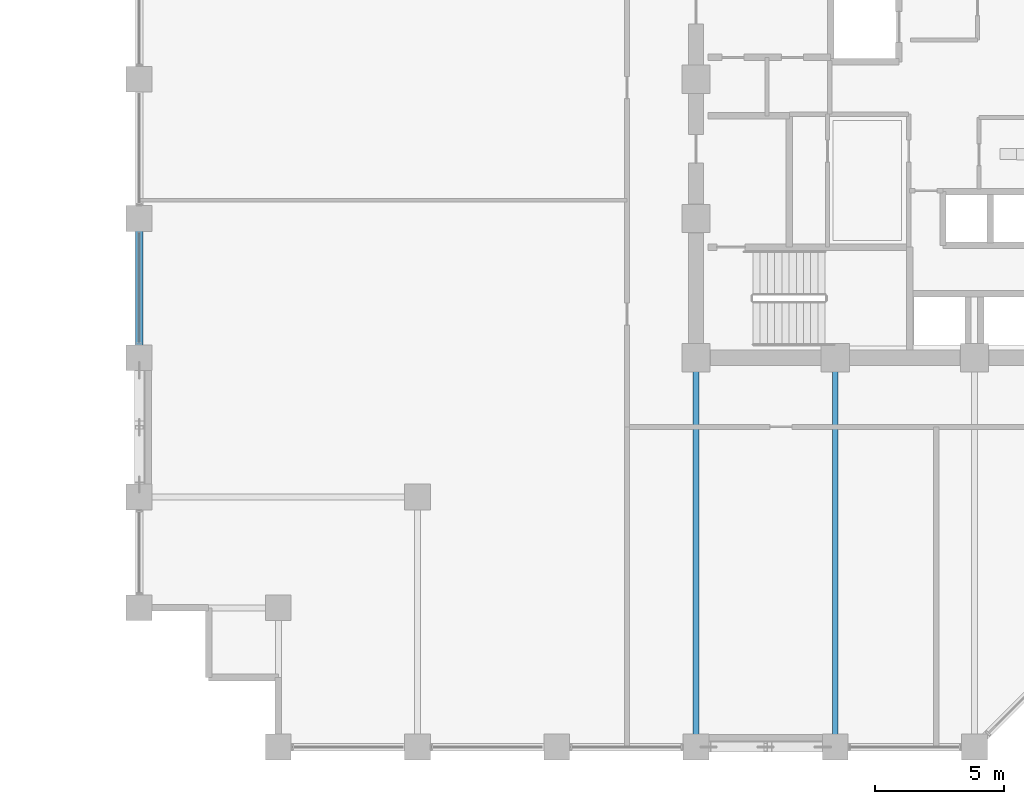
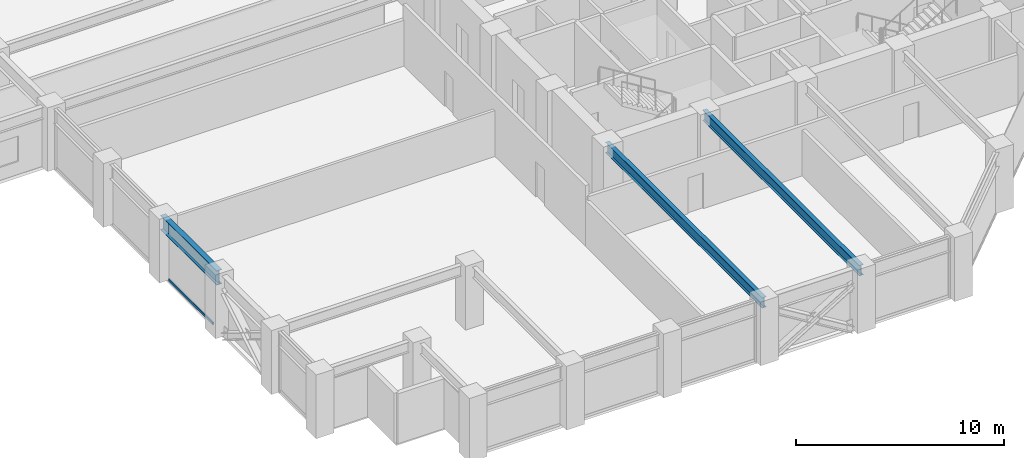
# One storey, part 4 of 29: 3 beams, 1 member, 1 element without a shape of its own.
"""IFC4 building model written with IfcOpenShell, lengths in metres."""

import ifcopenshell
import ifcopenshell.guid

model = None  # the IFC model being written
_history = None  # IfcOwnerHistory: only IFC2X3 demands one
_inside = {}  # id of a spatial element -> (the spatial element, [elements in it])
_under = {}  # id of a project, library or spatial element -> (it, [spatial elements below it])
_declared = {}  # id of a project -> (the project, [libraries it declares])
_typed = {}  # id of a type object -> (the type object, [elements of that type])
_made_of = {}  # id of a material, layer set ... -> (it, [elements and type objects made of it])


def new_model(schema):
    """Start an empty IFC model of exactly this schema.

    Asked for "IFC4X3", IfcOpenShell would pick the latest addendum, in which some entities
    have other attributes; the version numbers below select the first issue.
    IFC2X3 requires an IfcOwnerHistory on every rooted entity: one is made here for all.
    """
    global model, _history
    if schema == "IFC4X3":
        model = ifcopenshell.file(schema_version=(4, 3, 0, 0))
    else:
        model = ifcopenshell.file(schema=schema)
    _inside.clear()
    _under.clear()
    _declared.clear()
    _typed.clear()
    _made_of.clear()
    _history = None
    if model.schema == "IFC2X3":
        org = make("IfcOrganization", Name="unknown")
        user = make(
            "IfcPersonAndOrganization",
            ThePerson=make("IfcPerson", FamilyName="unknown"),
            TheOrganization=org,
        )
        app = make(
            "IfcApplication",
            ApplicationDeveloper=org,
            Version="unknown",
            ApplicationFullName="unknown",
            ApplicationIdentifier="unknown",
        )
        _history = make(
            "IfcOwnerHistory",
            OwningUser=user,
            OwningApplication=app,
            ChangeAction="ADDED",
            CreationDate=0,
        )
    return model


def make(cls, **values):
    """One entity of the class cls with the attributes given. An attribute that is None is left unset."""
    return model.create_entity(
        cls, **{name: value for name, value in values.items() if value is not None}
    )


def rooted(cls, **values):
    """An entity with a GlobalId (a new one), such as an element, a storey or a relation."""
    return make(cls, GlobalId=ifcopenshell.guid.new(), OwnerHistory=_history, **values)


def si_unit(unit_type, name, prefix=None):
    """IfcSIUnit, for example si_unit("LENGTHUNIT", "METRE", prefix="MILLI")."""
    return make("IfcSIUnit", UnitType=unit_type, Prefix=prefix, Name=name)


def assignment(units):
    """IfcUnitAssignment: the units of a project."""
    return None if units is None else make("IfcUnitAssignment", Units=units)


def point(xyz):
    """IfcCartesianPoint."""
    return None if xyz is None else make("IfcCartesianPoint", Coordinates=xyz)


def direction(xyz):
    """IfcDirection."""
    return None if xyz is None else make("IfcDirection", DirectionRatios=xyz)


def frame(location, z_axis=None, x_axis=None):
    """IfcAxis2Placement3D, a coordinate frame: its origin and axes. An axis left out is left unset."""
    return make(
        "IfcAxis2Placement3D",
        Location=point(location),
        Axis=direction(z_axis),
        RefDirection=direction(x_axis),
    )


def frame_2d(location, x_axis=None):
    """IfcAxis2Placement2D, a coordinate frame in the plane: its origin and x axis."""
    return make(
        "IfcAxis2Placement2D", Location=point(location), RefDirection=direction(x_axis)
    )


def origin():
    """The frame at (0, 0, 0) with its axes left unset."""
    return frame((0.0, 0.0, 0.0))


def origin_2d():
    """The frame at (0, 0) in the plane with its x axis left unset."""
    return frame_2d((0.0, 0.0))


def place(relative_to, where):
    """IfcLocalPlacement: puts the frame where relative to a parent placement (None: the world)."""
    return make(
        "IfcLocalPlacement", PlacementRelTo=relative_to, RelativePlacement=where
    )


def context(
    kind, dimensions, precision=None, world=None, true_north=None, identifier=None
):
    """IfcGeometricRepresentationContext, for example the 3D "Model" context."""
    return make(
        "IfcGeometricRepresentationContext",
        ContextIdentifier=identifier,
        ContextType=kind,
        CoordinateSpaceDimension=dimensions,
        Precision=precision,
        WorldCoordinateSystem=world,
        TrueNorth=true_north,
    )


def subcontext(parent, identifier, kind, view, scale=None):
    """IfcGeometricRepresentationSubContext, for example "Body" below "Model"."""
    return make(
        "IfcGeometricRepresentationSubContext",
        ContextIdentifier=identifier,
        ContextType=kind,
        ParentContext=parent,
        TargetScale=scale,
        TargetView=view,
    )


def project(units=None, contexts=None):
    """IfcProject with its units and contexts."""
    return rooted(
        "IfcProject",
        Name="project",
        RepresentationContexts=contexts,
        UnitsInContext=assignment(units),
    )


def spatial(cls, under=None, at=None, **own):
    """A site, building, storey or space (cls), placed at a placement, below another one or the project."""
    s = rooted(cls, ObjectPlacement=at, **own)
    if under is not None:
        _under.setdefault(under.id(), (under, []))[1].append(s)
    return s


def profile(cls, at=None, kind="AREA", **sizes):
    """A parametric profile (cls). Its sizes go by their IFC names, for example OverallWidth=200.0."""
    return make(cls, ProfileType=kind, Position=at, **sizes)


def hollow_rectangle(**sizes):
    """IfcRectangleHollowProfileDef."""
    return profile("IfcRectangleHollowProfileDef", **sizes)


def i_section(**sizes):
    """IfcIShapeProfileDef."""
    return profile("IfcIShapeProfileDef", **sizes)


def extrude(swept, where, along, depth):
    """IfcExtrudedAreaSolid: the profile swept, set in the frame where, extruded along a direction by depth."""
    return make(
        "IfcExtrudedAreaSolid",
        SweptArea=swept,
        Position=where,
        ExtrudedDirection=direction(along),
        Depth=depth,
    )


def shape(context_of_items, identifier, shape_type, items):
    """IfcShapeRepresentation: the items that make up one representation, for example the "Body"."""
    return make(
        "IfcShapeRepresentation",
        ContextOfItems=context_of_items,
        RepresentationIdentifier=identifier,
        RepresentationType=shape_type,
        Items=items,
    )


def material(Name=None, Category=None):
    """IfcMaterial."""
    return make("IfcMaterial", Name=Name, Category=Category)


def layer(
    of_material, thickness, ventilated=None, Name=None, Category=None, Priority=None
):
    """IfcMaterialLayer: one layer of a wall or slab, of a material (None: an air gap)."""
    return make(
        "IfcMaterialLayer",
        Material=of_material,
        LayerThickness=thickness,
        IsVentilated=ventilated,
        Name=Name,
        Category=Category,
        Priority=Priority,
    )


def layer_set(layers, Name=None):
    """IfcMaterialLayerSet."""
    return make("IfcMaterialLayerSet", MaterialLayers=layers, LayerSetName=Name)


def material_profile(
    of_material, cross_section, Name=None, Category=None, Priority=None
):
    """IfcMaterialProfile: a cross section and its material."""
    return make(
        "IfcMaterialProfile",
        Name=Name,
        Material=of_material,
        Profile=cross_section,
        Priority=Priority,
        Category=Category,
    )


def profile_set(profiles, Name=None, composite=None):
    """IfcMaterialProfileSet."""
    return make(
        "IfcMaterialProfileSet",
        Name=Name,
        MaterialProfiles=profiles,
        CompositeProfile=composite,
    )


def made_of(thing, what):
    """Note that an element or type object is made of a material, layer set ...; save() writes the relation."""
    if what is not None:
        _made_of.setdefault(what.id(), (what, []))[1].append(thing)
    return thing


def type_object(cls, material=None, **own):
    """A type object (cls), such as IfcWallType, which elements share."""
    return made_of(rooted(cls, **own), material)


def element(
    cls,
    number,
    at=None,
    inside=None,
    cuts=None,
    type_object=None,
    material=None,
    context=None,
    identifier="Body",
    shape_type=None,
    held_by="IfcProductDefinitionShape",
    body=None,
    shapes=None,
    **own,
):
    """One element of the class cls, such as IfcWall. Its Tag is "e" and its number.

    at: its placement. inside: the storey or other place that contains it. cuts: it is an
    opening in that element (IfcRelVoidsElement). A single representation is given by context,
    identifier, shape_type and body (its items); several are given by shapes. held_by: the class
    of the entity that holds the representations. save() writes the other relations.
    """
    e = rooted(cls, Tag="e%d" % number, ObjectPlacement=at, **own)
    if body is not None:
        shapes = [shape(context, identifier, shape_type, body)]
    if shapes is not None:
        e.Representation = make(held_by, Representations=shapes)
    if inside is not None:
        _inside.setdefault(inside.id(), (inside, []))[1].append(e)
    if cuts is not None:
        rooted(
            "IfcRelVoidsElement", RelatingBuildingElement=cuts, RelatedOpeningElement=e
        )
    if type_object is not None:
        _typed.setdefault(type_object.id(), (type_object, []))[1].append(e)
    return made_of(e, material)


def aggregate(whole, parts):
    """IfcRelAggregates: a whole, such as a stair, and the parts it consists of."""
    return rooted("IfcRelAggregates", RelatingObject=whole, RelatedObjects=parts)


def save(model, path):
    """Write the relations noted so far, then the file.

    IfcRelAggregates (storeys below a building ...), IfcRelContainedInSpatialStructure (elements
    in a storey), IfcRelDefinesByType, IfcRelAssociatesMaterial and IfcRelDeclares: one each for
    every whole, place, type object, material and project.
    """
    for whole, parts in _under.values():
        aggregate(whole, parts)
    for where, things in _inside.values():
        rooted(
            "IfcRelContainedInSpatialStructure",
            RelatedElements=things,
            RelatingStructure=where,
        )
    for kind, things in _typed.values():
        rooted("IfcRelDefinesByType", RelatedObjects=things, RelatingType=kind)
    for what, things in _made_of.values():
        rooted("IfcRelAssociatesMaterial", RelatedObjects=things, RelatingMaterial=what)
    for by, libraries in _declared.values():
        rooted("IfcRelDeclares", RelatingContext=by, RelatedDefinitions=libraries)
    model.write(path)


model = new_model("IFC4")

# Units and contexts
model_context = context("Model", 3, precision=1e-05, world=origin(), true_north=direction((0.0, 1.0)))
body_context = subcontext(model_context, "Body", "Model", "MODEL_VIEW")
ifc_project = project(units=[si_unit("LENGTHUNIT", "METRE"), si_unit("AREAUNIT", "SQUARE_METRE"), si_unit("VOLUMEUNIT", "CUBIC_METRE"), si_unit("PLANEANGLEUNIT", "RADIAN"), si_unit("MASSUNIT", "GRAM", prefix="KILO")], contexts=[model_context])

# Site, building, storey
site_placement = place(None, origin())
site = spatial("IfcSite", under=ifc_project, at=site_placement, CompositionType="ELEMENT")
building_placement = place(site_placement, origin())
building = spatial("IfcBuilding", under=site, at=building_placement, Name="Surkhivell Harbour Commons", CompositionType="ELEMENT")
storey_placement = place(building_placement, frame((0.0, 0.0, 154.5)))
storey = spatial("IfcBuildingStorey", under=building, at=storey_placement, Name="L40", CompositionType="ELEMENT", Elevation=154.5)

# Beams
ifc_material_1 = material(Name="Steel S355", Category="steel")
ifc_material_profile_1 = material_profile(ifc_material_1, i_section(OverallWidth=0.22998046875, OverallDepth=0.616943359375, WebThickness=0.01318359375, FlangeThickness=0.022216796875, at=origin_2d()), Name="UB610x229x140")
ifc_profile_set_1 = profile_set([ifc_material_profile_1], Name="Steel S355")
beam_type_1 = type_object("IfcBeamType", Name="BM-GRD-610B", PredefinedType="BEAM", material=ifc_profile_set_1)
for number, where, z_axis, x_axis, name in (
    (1, (-10.800048828125, -25.89990234375, 3.261474609375), (0.0, 1.0, 0.0), (-1.0, 0.0, 0.0), "L40 Floor Girder (-10.8,-25.9)"),
    (2, (-5.39990234375, -25.89990234375, 3.261474609375), (0.0, 1.0, 0.0), (-1.0, 0.0, 0.0), "L40 Floor Girder (-5.4,-25.9)"),
):
    element("IfcBeam", number, at=place(storey_placement, frame(where, z_axis=z_axis, x_axis=x_axis)), inside=storey, type_object=beam_type_1, Name=name, PredefinedType="BEAM", context=body_context, shape_type="SweptSolid", body=[
        extrude(i_section(OverallWidth=0.22998046875, OverallDepth=0.616943359375, WebThickness=0.01318359375, FlangeThickness=0.022216796875, at=origin_2d()), origin(), (0.0, 0.0, 1.0), 15.099853515625),
    ])
ifc_material_2 = material(Name="Steel S460", Category="steel")
ifc_material_profile_2 = material_profile(ifc_material_2, i_section(OverallWidth=0.2939453125, OverallDepth=0.85107421875, WebThickness=0.01611328125, FlangeThickness=0.02685546875, at=origin_2d()), Name="UB838x292x226")
ifc_profile_set_2 = profile_set([ifc_material_profile_2], Name="Steel S460")
beam_type_2 = type_object("IfcBeamType", Name="BM-SPN-838", PredefinedType="SPANDREL", material=ifc_profile_set_2)
beam_placement = place(storey_placement, frame((-32.39990234375, -10.800048828125, 3.14453125), z_axis=(0.0, 1.0, 0.0), x_axis=(-1.0, 0.0, 0.0)))
element("IfcBeam", 3, at=beam_placement, inside=storey, type_object=beam_type_2, Name="L40 Tube Spandrel (-32.4,-10.8)", PredefinedType="SPANDREL", context=body_context, shape_type="SweptSolid", body=[
    extrude(i_section(OverallWidth=0.2939453125, OverallDepth=0.85107421875, WebThickness=0.01611328125, FlangeThickness=0.02685546875, at=origin_2d()), origin(), (0.0, 0.0, 1.0), 5.400146484375),
])

# Curtain wall, member
ifc_material_3 = material(Name="Anodised pale-metal aluminium and insulated glazing", Category="aluminium")
ifc_layer = layer(ifc_material_3, 0.205078125)
ifc_layer_set = layer_set([ifc_layer], Name="Anodised pale-metal aluminium and insulated glazing")
curtain_wall_type = type_object("IfcCurtainWallType", Name="CW-SYS-Z2", PredefinedType="NOTDEFINED", material=ifc_layer_set)
curtain_wall_placement = place(storey_placement, origin())
curtain_wall = element("IfcCurtainWall", 4, at=curtain_wall_placement, inside=storey, type_object=curtain_wall_type, Name="L40 Curtain Wall CW-L40-E12R1S2", PredefinedType="NOTDEFINED")
ifc_material_4 = material(Name="Anodised pale-metal aluminium alloy 6063-T6", Category="aluminium")
ifc_material_profile_3 = material_profile(ifc_material_4, hollow_rectangle(XDim=0.074951171875, YDim=0.14990234375, WallThickness=0.00341796875, at=origin_2d()), Name="ALU-TRAN-75x150")
ifc_profile_set_3 = profile_set([ifc_material_profile_3], Name="Anodised pale-metal aluminium alloy 6063-T6")
member_type = type_object("IfcMemberType", Name="CWT-150", PredefinedType="USERDEFINED", material=ifc_profile_set_3)
member_placement = place(storey_placement, frame((-32.39990234375, -10.222900390625, 0.074951171875), z_axis=(0.0, 1.0, 0.0), x_axis=(-1.0, 0.0, 0.0)))
member = element("IfcMember", 5, at=member_placement, type_object=member_type, Name="CW-Z2 transom 1.1", ObjectType="TRANSOM", PredefinedType="USERDEFINED", context=body_context, shape_type="SweptSolid", body=[
    extrude(hollow_rectangle(XDim=0.074951171875, YDim=0.14990234375, WallThickness=0.00341796875, at=origin_2d()), origin(), (0.0, 0.0, 1.0), 4.245849609375),
])
aggregate(curtain_wall, [member])

save(model, "model.ifc")
